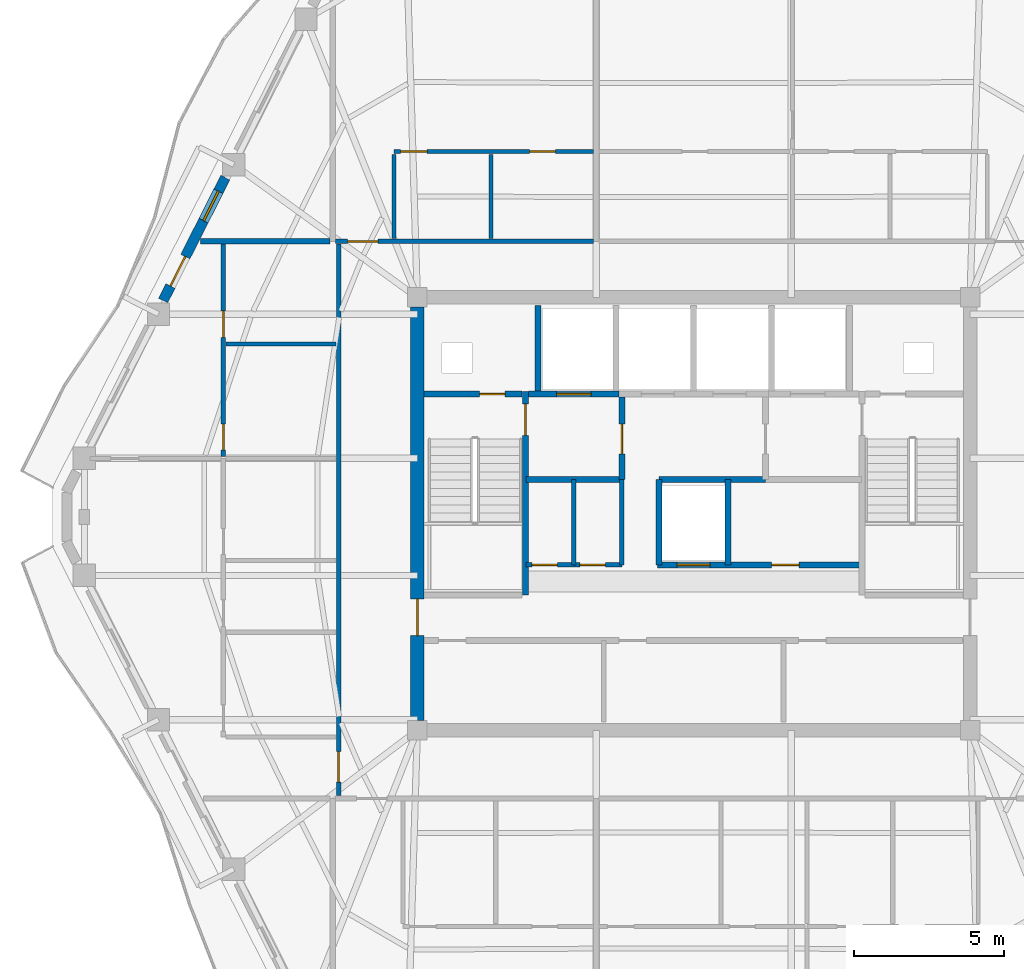
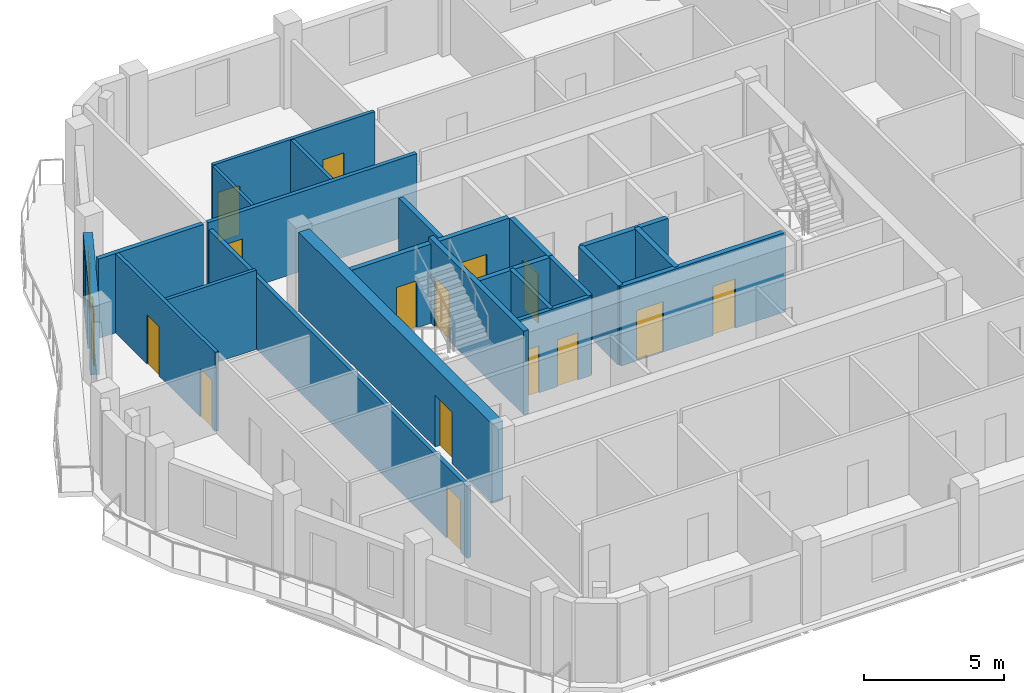
# One storey, part 5 of 12: 23 walls, 16 doors, 1 window, 17 openings.
"""IFC4 building model written with IfcOpenShell, lengths in metres."""

from ifc_helpers import new_model, si_unit, direction, frame, frame_2d, origin, place, context, subcontext, project, spatial, rectangle, extrude, material, layer, layer_set, type_object, element, fill, save


model = new_model("IFC4")

# Units and contexts
model_context = context("Model", 3, precision=1e-05, world=origin(), true_north=direction((0.0, 1.0)))
body_context = subcontext(model_context, "Body", "Model", "MODEL_VIEW")
ifc_project = project(units=[si_unit("LENGTHUNIT", "METRE"), si_unit("AREAUNIT", "SQUARE_METRE"), si_unit("VOLUMEUNIT", "CUBIC_METRE"), si_unit("PLANEANGLEUNIT", "RADIAN"), si_unit("MASSUNIT", "GRAM", prefix="KILO")], contexts=[model_context])

# Site, building, storey
site_placement = place(None, origin())
site = spatial("IfcSite", under=ifc_project, at=site_placement, CompositionType="ELEMENT")
building_placement = place(site_placement, origin())
building = spatial("IfcBuilding", under=site, at=building_placement, Name="Cinnabar Lancet Tower", CompositionType="ELEMENT")
storey_placement = place(building_placement, frame((0.0, 0.0, 237.949951171875)))
storey = spatial("IfcBuildingStorey", under=building, at=storey_placement, Name="L63", CompositionType="ELEMENT", Elevation=237.949951171875)

# Wall, openings, doors
ifc_material_1 = material(Name="Acoustic twin-stud gypsum partition", Category="gypsum")
ifc_layer_1 = layer(ifc_material_1, 0.159912109375)
ifc_layer_set_1 = layer_set([ifc_layer_1], Name="Acoustic twin-stud gypsum partition")
wall_type_1 = type_object("IfcWallType", Name="ARC-WL-CORR-160", PredefinedType="PARTITIONING", material=ifc_layer_set_1)
wall_1_placement = place(storey_placement, frame((26.800048828125, 24.199951171875, 0.0), z_axis=(0.0, 0.0, 1.0), x_axis=(1.0, 0.0, 0.0)))
wall_1 = element("IfcWall", 1, at=wall_1_placement, inside=storey, type_object=wall_type_1, Name="CW-REC5S-L63", PredefinedType="PARTITIONING", context=body_context, shape_type="SweptSolid", body=[
    extrude(rectangle(XDim=3.199951171875, YDim=0.159912109375, at=frame_2d((1.60009765625, 0.0))), origin(), (0.0, 0.0, 1.0), 3.449951171875),
])
opening_1_placement = place(wall_1_placement, frame((0.199951171875, 0.0, 0.0)))
opening_1 = element("IfcOpeningElement", 2, at=opening_1_placement, cuts=wall_1, Name="Opening PD-02", PredefinedType="OPENING", context=body_context, shape_type="SweptSolid", body=[
    extrude(rectangle(XDim=0.85009765625, YDim=2.050048828125, at=frame_2d((0.425048828125, 1.02490234375))), frame((0.0, 0.08984375, 0.0), z_axis=(0.0, -1.0, 0.0), x_axis=(1.0, 0.0, 0.0)), (0.0, 0.0, 1.0), 0.179931640625),
])
opening_2_placement = place(wall_1_placement, frame((1.800048828125, 0.0, 0.0)))
opening_2 = element("IfcOpeningElement", 3, at=opening_2_placement, cuts=wall_1, Name="Opening PD-02", PredefinedType="OPENING", context=body_context, shape_type="SweptSolid", body=[
    extrude(rectangle(XDim=0.85009765625, YDim=2.050048828125, at=frame_2d((0.425048828125, 1.02490234375))), frame((0.0, 0.08984375, 0.0), z_axis=(0.0, -1.0, 0.0), x_axis=(1.0, 0.0, 0.0)), (0.0, 0.0, 1.0), 0.179931640625),
])
ifc_material_2 = material(Name="Fire-rated steel riser access door", Category="steel")
door_type_1 = type_object("IfcDoorType", Name="ARC-DR-RISER", OperationType="NOTDEFINED", PredefinedType="DOOR", material=ifc_material_2)
door_1_placement = place(opening_1_placement, origin())
door_1 = element("IfcDoor", 4, at=door_1_placement, inside=storey, type_object=door_type_1, Name="DR-L63-REC5A", OperationType="SINGLE_SWING_LEFT", OverallHeight=2.050048828125, OverallWidth=0.85009765625, PredefinedType="DOOR", context=body_context, shape_type="SweptSolid", body=[
    extrude(rectangle(XDim=0.85009765625, YDim=2.050048828125, at=frame_2d((0.425048828125, 1.02490234375))), frame((0.0, 0.02490234375, 0.0), z_axis=(0.0, -1.0, 0.0), x_axis=(1.0, 0.0, 0.0)), (0.0, 0.0, 1.0), 0.050048828125),
])
fill(opening_1, door_1)
door_2_placement = place(opening_2_placement, origin())
door_2 = element("IfcDoor", 5, at=door_2_placement, inside=storey, type_object=door_type_1, Name="DR-L63-REC5B", OperationType="SINGLE_SWING_RIGHT", OverallHeight=2.050048828125, OverallWidth=0.85009765625, PredefinedType="DOOR", context=body_context, shape_type="SweptSolid", body=[
    extrude(rectangle(XDim=0.85009765625, YDim=2.050048828125, at=frame_2d((0.425048828125, 1.02490234375))), frame((0.0, 0.02490234375, 0.0), z_axis=(0.0, -1.0, 0.0), x_axis=(1.0, 0.0, 0.0)), (0.0, 0.0, 1.0), 0.050048828125),
])
fill(opening_2, door_2)

# Walls
for number, where, z_axis, x_axis, name in (
    (6, (30.0, 24.199951171875, 0.0), (0.0, 0.0, 1.0), (0.0, 1.0, 0.0), "CW-REC5E-L63"),
    (7, (28.39990234375, 24.199951171875, 0.0), (0.0, 0.0, 1.0), (0.0, 1.0, 0.0), "CW-REC5D-L63"),
):
    element("IfcWall", number, at=place(storey_placement, frame(where, z_axis=z_axis, x_axis=x_axis)), inside=storey, type_object=wall_type_1, Name=name, PredefinedType="PARTITIONING", context=body_context, shape_type="SweptSolid", body=[
        extrude(rectangle(XDim=2.85009765625, YDim=0.159912109375, at=frame_2d((1.425048828125, 0.0))), origin(), (0.0, 0.0, 1.0), 3.449951171875),
    ])

# Wall, opening, door
wall_2_placement = place(storey_placement, frame((20.445068359375, 35.0, 0.0), z_axis=(0.0, 0.0, 1.0), x_axis=(1.0, 0.0, 0.0)))
wall_2 = element("IfcWall", 8, at=wall_2_placement, inside=storey, type_object=wall_type_1, Name="L63 Unit N01 Corridor Wall", PredefinedType="PARTITIONING", context=body_context, shape_type="SweptSolid", body=[
    extrude(rectangle(XDim=8.60595703125, YDim=0.159912109375, at=frame_2d((4.302978515625, 0.0))), origin(), (0.0, 0.0, 1.0), 3.449951171875),
])
opening_3_placement = place(wall_2_placement, frame((0.405029296875, 0.0, 0.0)))
opening_3 = element("IfcOpeningElement", 9, at=opening_3_placement, cuts=wall_2, Name="Opening UD-01", PredefinedType="OPENING", context=body_context, shape_type="SweptSolid", body=[
    extrude(rectangle(XDim=1.02001953125, YDim=2.25, at=frame_2d((0.510009765625, 1.125))), frame((0.0, 0.08984375, 0.0), z_axis=(0.0, -1.0, 0.0), x_axis=(1.0, 0.0, 0.0)), (0.0, 0.0, 1.0), 0.179931640625),
])
ifc_material_3 = material(Name="Solid timber fire-rated apartment entrance door", Category="wood")
door_type_2 = type_object("IfcDoorType", Name="ARC-DR-UNIT", OperationType="NOTDEFINED", PredefinedType="DOOR", material=ifc_material_3)
door_3_placement = place(opening_3_placement, origin())
door_3 = element("IfcDoor", 10, at=door_3_placement, inside=storey, type_object=door_type_2, Name="DR-L63-N01-ENT", OperationType="SINGLE_SWING_RIGHT", OverallHeight=2.25, OverallWidth=1.02001953125, PredefinedType="DOOR", context=body_context, shape_type="SweptSolid", body=[
    extrude(rectangle(XDim=1.02001953125, YDim=2.25, at=frame_2d((0.510009765625, 1.125))), frame((0.0, 0.02490234375, 0.0), z_axis=(0.0, -1.0, 0.0), x_axis=(1.0, 0.0, 0.0)), (0.0, 0.0, 1.0), 0.050048828125),
])
fill(opening_3, door_3)

wall_3_placement = place(storey_placement, frame((20.550048828125, 16.4951171875, 0.0), z_axis=(0.0, 0.0, 1.0), x_axis=(0.0, 1.0, 0.0)))
wall_3 = element("IfcWall", 11, at=wall_3_placement, inside=storey, type_object=wall_type_1, Name="UW-L63-W01-COR", PredefinedType="PARTITIONING", context=body_context, shape_type="SweptSolid", body=[
    extrude(rectangle(XDim=18.409912109375, YDim=0.159912109375, at=frame_2d((9.205078125, 0.0))), origin(), (0.0, 0.0, 1.0), 3.136962890625),
])
opening_4_placement = place(wall_3_placement, frame((0.449951171875, 0.0, 0.0)))
opening_4 = element("IfcOpeningElement", 12, at=opening_4_placement, cuts=wall_3, Name="Opening UD-01", PredefinedType="OPENING", context=body_context, shape_type="SweptSolid", body=[
    extrude(rectangle(XDim=1.02001953125, YDim=2.25, at=frame_2d((0.510009765625, 1.125))), frame((0.0, 0.08984375, 0.0), z_axis=(0.0, -1.0, 0.0), x_axis=(1.0, 0.0, 0.0)), (0.0, 0.0, 1.0), 0.179931640625),
])
door_4_placement = place(opening_4_placement, origin())
door_4 = element("IfcDoor", 13, at=door_4_placement, inside=storey, type_object=door_type_2, Name="DR-L63-W01-ENT", OperationType="SINGLE_SWING_LEFT", OverallHeight=2.25, OverallWidth=1.02001953125, PredefinedType="DOOR", context=body_context, shape_type="SweptSolid", body=[
    extrude(rectangle(XDim=1.02001953125, YDim=2.25, at=frame_2d((0.510009765625, 1.125))), frame((0.0, 0.02490234375, 0.0), z_axis=(0.0, -1.0, 0.0), x_axis=(1.0, 0.0, 0.0)), (0.0, 0.0, 1.0), 0.050048828125),
])
fill(opening_4, door_4)

# Wall
ifc_material_4 = material(Name="Fire-rated twin-frame acoustic drywall", Category="gypsum")
ifc_layer_2 = layer(ifc_material_4, 0.179931640625)
ifc_layer_set_2 = layer_set([ifc_layer_2], Name="Fire-rated twin-frame acoustic drywall")
wall_type_2 = type_object("IfcWallType", Name="ARC-WL-PARTY-180", PredefinedType="PARTITIONING", material=ifc_layer_set_2)
wall_4_placement = place(storey_placement, frame((15.93310546875, 35.0, 0.0), z_axis=(0.0, 0.0, 1.0), x_axis=(1.0, 0.0, 0.0)))
element("IfcWall", 14, at=wall_4_placement, inside=storey, type_object=wall_type_2, Name="PW-L63-WNB", PredefinedType="PARTITIONING", context=body_context, shape_type="SweptSolid", body=[
    extrude(rectangle(XDim=4.32177734375, YDim=0.179931640625, at=frame_2d((2.160888671875, 0.0))), origin(), (0.0, 0.0, 1.0), 3.449951171875),
])

# Wall, opening, door
ifc_material_5 = material(Name="Autoclaved aerated concrete blockwork", Category="masonry")
ifc_layer_3 = layer(ifc_material_5, 0.199951171875)
ifc_layer_set_3 = layer_set([ifc_layer_3], Name="Autoclaved aerated concrete blockwork")
wall_type_3 = type_object("IfcWallType", Name="ARC-WL-SHAFT-200", PredefinedType="PLUMBINGWALL", material=ifc_layer_set_3)
wall_5_placement = place(storey_placement, frame((23.405029296875, 29.89990234375, 0.0), z_axis=(0.0, 0.0, 1.0), x_axis=(1.0, 0.0, 0.0)))
wall_5 = element("IfcWall", 15, at=wall_5_placement, inside=storey, type_object=wall_type_3, Name="CW-NSH-W-L63", PredefinedType="PLUMBINGWALL", context=body_context, shape_type="SweptSolid", body=[
    extrude(rectangle(XDim=3.27001953125, YDim=0.199951171875, at=frame_2d((1.635009765625, 0.0))), origin(), (0.0, 0.0, 1.0), 3.449951171875),
])
opening_5_placement = place(wall_5_placement, frame((1.85009765625, 0.0, 0.0)))
opening_5 = element("IfcOpeningElement", 16, at=opening_5_placement, cuts=wall_5, Name="Opening PD-02", PredefinedType="OPENING", context=body_context, shape_type="SweptSolid", body=[
    extrude(rectangle(XDim=0.85009765625, YDim=2.050048828125, at=frame_2d((0.425048828125, 1.02490234375))), frame((0.0, 0.10986328125, 0.0), z_axis=(0.0, -1.0, 0.0), x_axis=(1.0, 0.0, 0.0)), (0.0, 0.0, 1.0), 0.219970703125),
])
door_5_placement = place(opening_5_placement, origin())
door_5 = element("IfcDoor", 17, at=door_5_placement, inside=storey, type_object=door_type_1, Name="L63 West Riser Access Door", OperationType="SINGLE_SWING_LEFT", OverallHeight=2.050048828125, OverallWidth=0.85009765625, PredefinedType="DOOR", context=body_context, shape_type="SweptSolid", body=[
    extrude(rectangle(XDim=0.85009765625, YDim=2.050048828125, at=frame_2d((0.425048828125, 1.02490234375))), frame((0.0, 0.02490234375, 0.0), z_axis=(0.0, -1.0, 0.0), x_axis=(1.0, 0.0, 0.0)), (0.0, 0.0, 1.0), 0.050048828125),
])
fill(opening_5, door_5)

wall_6_placement = place(storey_placement, frame((26.885009765625, 29.89990234375, 0.0), z_axis=(0.0, 0.0, 1.0), x_axis=(1.0, 0.0, 0.0)))
wall_6 = element("IfcWall", 18, at=wall_6_placement, inside=storey, type_object=wall_type_3, Name="CW-FL1-L63", PredefinedType="PLUMBINGWALL", context=body_context, shape_type="SweptSolid", body=[
    extrude(rectangle(XDim=3.014892578125, YDim=0.199951171875, at=frame_2d((1.50732421875, 0.0))), origin(), (0.0, 0.0, 1.0), 3.449951171875),
])
opening_6_placement = place(wall_6_placement, frame((0.93994140625, 0.0, 0.0)))
opening_6 = element("IfcOpeningElement", 19, at=opening_6_placement, cuts=wall_6, Name="Opening LD-02", PredefinedType="OPENING", context=body_context, shape_type="SweptSolid", body=[
    extrude(rectangle(XDim=1.14990234375, YDim=2.199951171875, at=frame_2d((0.574951171875, 1.10009765625))), frame((0.0, 0.10986328125, 0.0), z_axis=(0.0, -1.0, 0.0), x_axis=(1.0, 0.0, 0.0)), (0.0, 0.0, 1.0), 0.219970703125),
])
ifc_material_6 = material(Name="Fire-rated stainless steel firefighting lift landing door", Category="steel")
door_type_3 = type_object("IfcDoorType", Name="ARC-DR-LD-FIRE", OperationType="NOTDEFINED", PredefinedType="DOOR", material=ifc_material_6)
door_6_placement = place(opening_6_placement, origin())
door_6 = element("IfcDoor", 20, at=door_6_placement, inside=storey, type_object=door_type_3, Name="L63 Firefighting Lift FL-1 Landing Door", OperationType="DOUBLE_DOOR_SLIDING", OverallHeight=2.199951171875, OverallWidth=1.14990234375, PredefinedType="DOOR", context=body_context, shape_type="SweptSolid", body=[
    extrude(rectangle(XDim=1.14990234375, YDim=2.199951171875, at=frame_2d((0.574951171875, 1.10009765625))), frame((0.0, 0.02490234375, 0.0), z_axis=(0.0, -1.0, 0.0), x_axis=(1.0, 0.0, 0.0)), (0.0, 0.0, 1.0), 0.050048828125),
])
fill(opening_6, door_6)

# Wall
wall_7_placement = place(storey_placement, frame((27.199951171875, 30.0, 0.0), z_axis=(0.0, 0.0, 1.0), x_axis=(0.0, 1.0, 0.0)))
element("IfcWall", 21, at=wall_7_placement, inside=storey, type_object=wall_type_3, Name="CW-NSH-D1-L63", PredefinedType="PLUMBINGWALL", context=body_context, shape_type="SweptSolid", body=[
    extrude(rectangle(XDim=2.85009765625, YDim=0.199951171875, at=frame_2d((1.425048828125, 0.0))), origin(), (0.0, 0.0, 1.0), 3.449951171875),
])

# Wall, opening, door
wall_8_placement = place(storey_placement, frame((30.0, 27.050048828125, 0.0), z_axis=(0.0, 0.0, 1.0), x_axis=(0.0, 1.0, 0.0)))
wall_8 = element("IfcWall", 22, at=wall_8_placement, inside=storey, type_object=wall_type_3, Name="CW-FF1E-L63", PredefinedType="PLUMBINGWALL", context=body_context, shape_type="SweptSolid", body=[
    extrude(rectangle(XDim=2.75, YDim=0.199951171875, at=frame_2d((1.375, 0.0))), origin(), (0.0, 0.0, 1.0), 3.449951171875),
])
opening_7_placement = place(wall_8_placement, frame((0.85009765625, 0.0, 0.0)))
opening_7 = element("IfcOpeningElement", 23, at=opening_7_placement, cuts=wall_8, Name="Opening FD-01", PredefinedType="OPENING", context=body_context, shape_type="SweptSolid", body=[
    extrude(rectangle(XDim=1.0, YDim=2.14990234375, at=frame_2d((0.5, 1.074951171875))), frame((0.0, 0.10986328125, 0.0), z_axis=(0.0, -1.0, 0.0), x_axis=(1.0, 0.0, 0.0)), (0.0, 0.0, 1.0), 0.219970703125),
])
ifc_material_7 = material(Name="Fire-rated timber-core lobby door", Category="wood")
door_type_4 = type_object("IfcDoorType", Name="ARC-DR-FFAL", OperationType="NOTDEFINED", PredefinedType="DOOR", material=ifc_material_7)
door_7_placement = place(opening_7_placement, origin())
door_7 = element("IfcDoor", 24, at=door_7_placement, inside=storey, type_object=door_type_4, Name="L63 FFAL-1 Lobby Fire Door", OperationType="SINGLE_SWING_RIGHT", OverallHeight=2.14990234375, OverallWidth=1.0, PredefinedType="DOOR", context=body_context, shape_type="SweptSolid", body=[
    extrude(rectangle(XDim=1.0, YDim=2.14990234375, at=frame_2d((0.5, 1.074951171875))), frame((0.0, 0.02490234375, 0.0), z_axis=(0.0, -1.0, 0.0), x_axis=(1.0, 0.0, 0.0)), (0.0, 0.0, 1.0), 0.050048828125),
])
fill(opening_7, door_7)

# Wall
wall_9_placement = place(storey_placement, frame((26.800048828125, 27.050048828125, 0.0), z_axis=(0.0, 0.0, 1.0), x_axis=(1.0, 0.0, 0.0)))
element("IfcWall", 25, at=wall_9_placement, inside=storey, type_object=wall_type_3, Name="CW-FF1S-L63", PredefinedType="PLUMBINGWALL", context=body_context, shape_type="SweptSolid", body=[
    extrude(rectangle(XDim=3.199951171875, YDim=0.199951171875, at=frame_2d((1.60009765625, 0.0))), origin(), (0.0, 0.0, 1.0), 3.449951171875),
])

# Wall, openings, doors
wall_10_placement = place(storey_placement, frame((31.199951171875, 24.199951171875, 0.0), z_axis=(0.0, 0.0, 1.0), x_axis=(1.0, 0.0, 0.0)))
wall_10 = element("IfcWall", 26, at=wall_10_placement, inside=storey, type_object=wall_type_3, Name="CW-PL96S-L63", PredefinedType="PLUMBINGWALL", context=body_context, shape_type="SweptSolid", body=[
    extrude(rectangle(XDim=6.800048828125, YDim=0.199951171875, at=frame_2d((3.39990234375, 0.0))), origin(), (0.0, 0.0, 1.0), 3.449951171875),
])
opening_8_placement = place(wall_10_placement, frame((0.64990234375, 0.0, 0.0)))
opening_8 = element("IfcOpeningElement", 27, at=opening_8_placement, cuts=wall_10, Name="Opening LD-01", PredefinedType="OPENING", context=body_context, shape_type="SweptSolid", body=[
    extrude(rectangle(XDim=1.10009765625, YDim=2.199951171875, at=frame_2d((0.550048828125, 1.10009765625))), frame((0.0, 0.10986328125, 0.0), z_axis=(0.0, -1.0, 0.0), x_axis=(1.0, 0.0, 0.0)), (0.0, 0.0, 1.0), 0.219970703125),
])
opening_9_placement = place(wall_10_placement, frame((3.800048828125, 0.0, 0.0)))
opening_9 = element("IfcOpeningElement", 28, at=opening_9_placement, cuts=wall_10, Name="Opening RD-01", PredefinedType="OPENING", context=body_context, shape_type="SweptSolid", body=[
    extrude(rectangle(XDim=0.919921875, YDim=2.14990234375, at=frame_2d((0.4599609375, 1.074951171875))), frame((0.0, 0.10986328125, 0.0), z_axis=(0.0, -1.0, 0.0), x_axis=(1.0, 0.0, 0.0)), (0.0, 0.0, 1.0), 0.219970703125),
])
ifc_material_8 = material(Name="Brushed stainless steel sliding lift door", Category="steel")
door_type_5 = type_object("IfcDoorType", Name="ARC-DR-LD-PASS", OperationType="NOTDEFINED", PredefinedType="DOOR", material=ifc_material_8)
door_8_placement = place(opening_8_placement, origin())
door_8 = element("IfcDoor", 29, at=door_8_placement, inside=storey, type_object=door_type_5, Name="L63 Lift PL-9 Landing Door", OperationType="DOUBLE_DOOR_SLIDING", OverallHeight=2.199951171875, OverallWidth=1.10009765625, PredefinedType="DOOR", context=body_context, shape_type="SweptSolid", body=[
    extrude(rectangle(XDim=1.10009765625, YDim=2.199951171875, at=frame_2d((0.550048828125, 1.10009765625))), frame((0.0, 0.02490234375, 0.0), z_axis=(0.0, -1.0, 0.0), x_axis=(1.0, 0.0, 0.0)), (0.0, 0.0, 1.0), 0.050048828125),
])
fill(opening_8, door_8)
ifc_material_9 = material(Name="Engineered timber bedroom door", Category="wood")
door_type_6 = type_object("IfcDoorType", Name="ARC-DR-ROOM", OperationType="NOTDEFINED", PredefinedType="DOOR", material=ifc_material_9)
door_9_placement = place(opening_9_placement, origin())
door_9 = element("IfcDoor", 30, at=door_9_placement, inside=storey, type_object=door_type_6, Name="DR-L63-REC6", OperationType="SINGLE_SWING_RIGHT", OverallHeight=2.14990234375, OverallWidth=0.919921875, PredefinedType="DOOR", context=body_context, shape_type="SweptSolid", body=[
    extrude(rectangle(XDim=0.919921875, YDim=2.14990234375, at=frame_2d((0.4599609375, 1.074951171875))), frame((0.0, 0.02490234375, 0.0), z_axis=(0.0, -1.0, 0.0), x_axis=(1.0, 0.0, 0.0)), (0.0, 0.0, 1.0), 0.050048828125),
])
fill(opening_9, door_9)

# Walls
for number, where, z_axis, x_axis, name in (
    (31, (31.25, 24.199951171875, 0.0), (0.0, 0.0, 1.0), (0.0, 1.0, 0.0), "CW-PL9W-L63"),
    (32, (33.550048828125, 24.199951171875, 0.0), (0.0, 0.0, 1.0), (0.0, 1.0, 0.0), "CW-PL9E-L63"),
):
    element("IfcWall", number, at=place(storey_placement, frame(where, z_axis=z_axis, x_axis=x_axis)), inside=storey, type_object=wall_type_3, Name=name, PredefinedType="PLUMBINGWALL", context=body_context, shape_type="SweptSolid", body=[
        extrude(rectangle(XDim=2.85009765625, YDim=0.199951171875, at=frame_2d((1.425048828125, 0.0))), origin(), (0.0, 0.0, 1.0), 3.449951171875),
    ])
wall_11_placement = place(storey_placement, frame((31.25, 27.050048828125, 0.0), z_axis=(0.0, 0.0, 1.0), x_axis=(1.0, 0.0, 0.0)))
element("IfcWall", 33, at=wall_11_placement, inside=storey, type_object=wall_type_3, Name="CW-PL96N-L63", PredefinedType="PLUMBINGWALL", context=body_context, shape_type="SweptSolid", body=[
    extrude(rectangle(XDim=3.550048828125, YDim=0.199951171875, at=frame_2d((1.77490234375, 0.0))), origin(), (0.0, 0.0, 1.0), 3.449951171875),
])
ifc_material_10 = material(Name="Gypsum plasterboard stud partition", Category="gypsum")
ifc_layer_4 = layer(ifc_material_10, 0.125)
ifc_layer_set_4 = layer_set([ifc_layer_4], Name="Gypsum plasterboard stud partition")
wall_type_4 = type_object("IfcWallType", Name="ARC-WL-UNIT-125", PredefinedType="PARTITIONING", material=ifc_layer_set_4)
wall_12_placement = place(storey_placement, frame((22.39990234375, 35.0849609375, 0.0), z_axis=(0.0, 0.0, 1.0), x_axis=(0.0, 1.0, 0.0)))
element("IfcWall", 34, at=wall_12_placement, inside=storey, type_object=wall_type_4, Name="UW-L63-N01-FOYE", PredefinedType="PARTITIONING", context=body_context, shape_type="SweptSolid", body=[
    extrude(rectangle(XDim=2.81103515625, YDim=0.125, at=frame_2d((1.405517578125, 0.0))), origin(), (0.0, 0.0, 1.0), 3.449951171875),
])

# Wall, openings, doors
ifc_material_11 = material(Name="Moisture-resistant cement-board plumbing wall", Category="masonry")
ifc_layer_5 = layer(ifc_material_11, 0.139892578125)
ifc_layer_set_5 = layer_set([ifc_layer_5], Name="Moisture-resistant cement-board plumbing wall")
wall_type_5 = type_object("IfcWallType", Name="ARC-WL-WET-140", PredefinedType="PLUMBINGWALL", material=ifc_layer_set_5)
wall_13_placement = place(storey_placement, frame((22.39990234375, 38.0009765625, 0.0), z_axis=(0.0, 0.0, 1.0), x_axis=(1.0, 0.0, 0.0)))
wall_13 = element("IfcWall", 35, at=wall_13_placement, inside=storey, type_object=wall_type_5, Name="UW-L63-N01-SPL", PredefinedType="PLUMBINGWALL", context=body_context, shape_type="SweptSolid", body=[
    extrude(rectangle(XDim=6.651123046875, YDim=0.139892578125, at=frame_2d((3.32568359375, 0.0))), origin(), (0.0, 0.0, 1.0), 3.449951171875),
])
opening_10_placement = place(wall_13_placement, frame((4.52001953125, 0.0, 0.0)))
opening_10 = element("IfcOpeningElement", 36, at=opening_10_placement, cuts=wall_13, Name="Opening BD-01", PredefinedType="OPENING", context=body_context, shape_type="SweptSolid", body=[
    extrude(rectangle(XDim=0.860107421875, YDim=2.10009765625, at=frame_2d((0.43017578125, 1.050048828125))), frame((0.0, 0.079833984375, 0.0), z_axis=(0.0, -1.0, 0.0), x_axis=(1.0, 0.0, 0.0)), (0.0, 0.0, 1.0), 0.159912109375),
])
opening_11_placement = place(wall_13_placement, frame((0.219970703125, 0.0, 0.0)))
opening_11 = element("IfcOpeningElement", 37, at=opening_11_placement, cuts=wall_13, Name="Opening RD-02", PredefinedType="OPENING", context=body_context, shape_type="SweptSolid", body=[
    extrude(rectangle(XDim=0.8798828125, YDim=2.14990234375, at=frame_2d((0.43994140625, 1.074951171875))), frame((0.0, 0.079833984375, 0.0), z_axis=(0.0, -1.0, 0.0), x_axis=(1.0, 0.0, 0.0)), (0.0, 0.0, 1.0), 0.159912109375),
])
ifc_material_12 = material(Name="Moisture-resistant timber bathroom door", Category="wood")
door_type_7 = type_object("IfcDoorType", Name="ARC-DR-BATH", OperationType="NOTDEFINED", PredefinedType="DOOR", material=ifc_material_12)
door_10_placement = place(opening_10_placement, origin())
door_10 = element("IfcDoor", 38, at=door_10_placement, inside=storey, type_object=door_type_7, Name="DR-L63-N01-BTH", OperationType="SINGLE_SWING_RIGHT", OverallHeight=2.10009765625, OverallWidth=0.860107421875, PredefinedType="DOOR", context=body_context, shape_type="SweptSolid", body=[
    extrude(rectangle(XDim=0.860107421875, YDim=2.10009765625, at=frame_2d((0.43017578125, 1.050048828125))), frame((0.0, 0.02490234375, 0.0), z_axis=(0.0, -1.0, 0.0), x_axis=(1.0, 0.0, 0.0)), (0.0, 0.0, 1.0), 0.050048828125),
])
fill(opening_10, door_10)
ifc_material_13 = material(Name="Engineered timber study door", Category="wood")
door_type_8 = type_object("IfcDoorType", Name="ARC-DR-STUDY", OperationType="NOTDEFINED", PredefinedType="DOOR", material=ifc_material_13)
door_11_placement = place(opening_11_placement, origin())
door_11 = element("IfcDoor", 39, at=door_11_placement, inside=storey, type_object=door_type_8, Name="DR-L63-N01-KIT", OperationType="SINGLE_SWING_LEFT", OverallHeight=2.14990234375, OverallWidth=0.8798828125, PredefinedType="DOOR", context=body_context, shape_type="SweptSolid", body=[
    extrude(rectangle(XDim=0.8798828125, YDim=2.14990234375, at=frame_2d((0.43994140625, 1.074951171875))), frame((0.0, 0.02490234375, 0.0), z_axis=(0.0, -1.0, 0.0), x_axis=(1.0, 0.0, 0.0)), (0.0, 0.0, 1.0), 0.050048828125),
])
fill(opening_11, door_11)

# Wall
wall_14_placement = place(storey_placement, frame((25.637939453125, 35.0849609375, 0.0), z_axis=(0.0, 0.0, 1.0), x_axis=(0.0, 1.0, 0.0)))
element("IfcWall", 40, at=wall_14_placement, inside=storey, type_object=wall_type_5, Name="UW-L63-N01-KDV", PredefinedType="PLUMBINGWALL", context=body_context, shape_type="SweptSolid", body=[
    extrude(rectangle(XDim=2.81103515625, YDim=0.139892578125, at=frame_2d((1.405517578125, 0.0))), origin(), (0.0, 0.0, 1.0), 3.449951171875),
])

# Wall, openings, doors
wall_15_placement = place(storey_placement, frame((16.699951171875, 27.81591796875, 0.0), z_axis=(0.0, 0.0, 1.0), x_axis=(0.0, 1.0, 0.0)))
wall_15 = element("IfcWall", 41, at=wall_15_placement, inside=storey, type_object=wall_type_5, Name="UW-L63-W01-SPM", PredefinedType="PLUMBINGWALL", context=body_context, shape_type="SweptSolid", body=[
    extrude(rectangle(XDim=7.089111328125, YDim=0.139892578125, at=frame_2d((3.54443359375, 0.0))), origin(), (0.0, 0.0, 1.0), 3.449951171875),
])
opening_12_placement = place(wall_15_placement, frame((0.219970703125, 0.0, 0.0)))
opening_12 = element("IfcOpeningElement", 42, at=opening_12_placement, cuts=wall_15, Name="Opening BD-01", PredefinedType="OPENING", context=body_context, shape_type="SweptSolid", body=[
    extrude(rectangle(XDim=0.860107421875, YDim=2.10009765625, at=frame_2d((0.43017578125, 1.050048828125))), frame((0.0, 0.079833984375, 0.0), z_axis=(0.0, -1.0, 0.0), x_axis=(1.0, 0.0, 0.0)), (0.0, 0.0, 1.0), 0.159912109375),
])
opening_13_placement = place(wall_15_placement, frame((3.97998046875, 0.0, 0.0)))
opening_13 = element("IfcOpeningElement", 43, at=opening_13_placement, cuts=wall_15, Name="Opening RD-02", PredefinedType="OPENING", context=body_context, shape_type="SweptSolid", body=[
    extrude(rectangle(XDim=0.8798828125, YDim=2.14990234375, at=frame_2d((0.43994140625, 1.074951171875))), frame((0.0, 0.079833984375, 0.0), z_axis=(0.0, -1.0, 0.0), x_axis=(1.0, 0.0, 0.0)), (0.0, 0.0, 1.0), 0.159912109375),
])
door_12_placement = place(opening_12_placement, origin())
door_12 = element("IfcDoor", 44, at=door_12_placement, inside=storey, type_object=door_type_7, Name="DR-L63-W01-ENS", OperationType="SINGLE_SWING_LEFT", OverallHeight=2.10009765625, OverallWidth=0.860107421875, PredefinedType="DOOR", context=body_context, shape_type="SweptSolid", body=[
    extrude(rectangle(XDim=0.860107421875, YDim=2.10009765625, at=frame_2d((0.43017578125, 1.050048828125))), frame((0.0, 0.02490234375, 0.0), z_axis=(0.0, -1.0, 0.0), x_axis=(1.0, 0.0, 0.0)), (0.0, 0.0, 1.0), 0.050048828125),
])
fill(opening_12, door_12)
door_13_placement = place(opening_13_placement, origin())
door_13 = element("IfcDoor", 45, at=door_13_placement, inside=storey, type_object=door_type_8, Name="DR-L63-W01-EWDR", OperationType="SINGLE_SWING_RIGHT", OverallHeight=2.14990234375, OverallWidth=0.8798828125, PredefinedType="DOOR", context=body_context, shape_type="SweptSolid", body=[
    extrude(rectangle(XDim=0.8798828125, YDim=2.14990234375, at=frame_2d((0.43994140625, 1.074951171875))), frame((0.0, 0.02490234375, 0.0), z_axis=(0.0, -1.0, 0.0), x_axis=(1.0, 0.0, 0.0)), (0.0, 0.0, 1.0), 0.050048828125),
])
fill(opening_13, door_13)

# Wall
wall_16_placement = place(storey_placement, frame((16.784912109375, 31.575927734375, 0.0), z_axis=(0.0, 0.0, 1.0), x_axis=(1.0, 0.0, 0.0)))
element("IfcWall", 46, at=wall_16_placement, inside=storey, type_object=wall_type_5, Name="UW-L63-W01-EWDV", PredefinedType="PLUMBINGWALL", context=body_context, shape_type="SweptSolid", body=[
    extrude(rectangle(XDim=3.68017578125, YDim=0.139892578125, at=frame_2d((1.840087890625, 0.0))), origin(), (0.0, 0.0, 1.0), 3.449951171875),
])

# Wall, openings, door, window
ifc_material_14 = material(Name="Cinnabar red clay brick", Category="masonry")
ifc_layer_6 = layer(ifc_material_14, 0.340087890625)
ifc_layer_set_6 = layer_set([ifc_layer_6], Name="Cinnabar red clay brick")
wall_type_6 = type_object("IfcWallType", Name="ENV-WL-BRK-RED-340", PredefinedType="STANDARD", material=ifc_layer_set_6)
wall_17_placement = place(storey_placement, frame((16.76806640625, 37.126953125, 0.0), z_axis=(0.0, 0.0, 1.0), x_axis=(-0.451581819983, -0.892229712496, 0.0)))
wall_17 = element("IfcWall", 47, at=wall_17_placement, inside=storey, type_object=wall_type_6, Name="L63 Face 5 Masonry Bay Wall 3", PredefinedType="STANDARD", context=body_context, shape_type="SweptSolid", body=[
    extrude(rectangle(XDim=4.599609375, YDim=0.340087890625, at=frame_2d((2.2998046875, 0.0))), origin(), (0.0, 0.0, 1.0), 2.983154296875),
])
opening_14_placement = place(wall_17_placement, frame((2.9580078125, 0.0, 0.0)))
opening_14 = element("IfcOpeningElement", 48, at=opening_14_placement, cuts=wall_17, Name="Opening TD-01", PredefinedType="OPENING", context=body_context, shape_type="SweptSolid", body=[
    extrude(rectangle(XDim=1.10009765625, YDim=2.25, at=frame_2d((0.550048828125, 1.125))), frame((0.0, 0.179931640625, 0.0), z_axis=(0.0, -1.0, 0.0), x_axis=(1.0, 0.0, 0.0)), (0.0, 0.0, 1.0), 0.360107421875),
])
opening_15_placement = place(wall_17_placement, frame((0.511962890625, 0.0, 0.75)))
opening_15 = element("IfcOpeningElement", 49, at=opening_15_placement, cuts=wall_17, Name="Opening WN-04", PredefinedType="OPENING", context=body_context, shape_type="SweptSolid", body=[
    extrude(rectangle(XDim=1.10009765625, YDim=2.0, at=frame_2d((0.550048828125, 1.0))), frame((0.0, 0.179931640625, 0.0), z_axis=(0.0, -1.0, 0.0), x_axis=(1.0, 0.0, 0.0)), (0.0, 0.0, 1.0), 0.360107421875),
])
ifc_material_15 = material(Name="Thermally broken low-E glazed balcony terrace door", Category="wood")
door_type_9 = type_object("IfcDoorType", Name="ARC-DR-BALC", OperationType="NOTDEFINED", PredefinedType="DOOR", material=ifc_material_15)
door_14_placement = place(opening_14_placement, origin())
door_14 = element("IfcDoor", 50, at=door_14_placement, inside=storey, type_object=door_type_9, Name="L63 Face 5 Glazed Terrace Door", OperationType="SINGLE_SWING_RIGHT", OverallHeight=2.25, OverallWidth=1.10009765625, PredefinedType="DOOR", context=body_context, shape_type="SweptSolid", body=[
    extrude(rectangle(XDim=1.10009765625, YDim=2.25, at=frame_2d((0.550048828125, 1.125))), frame((0.0, 0.02490234375, 0.0), z_axis=(0.0, -1.0, 0.0), x_axis=(1.0, 0.0, 0.0)), (0.0, 0.0, 1.0), 0.050048828125),
])
fill(opening_14, door_14)
ifc_material_16 = material(Name="Thermally broken bronze-anodized aluminium tall lancet window", Category="aluminium")
window_type = type_object("IfcWindowType", Name="ENV-WN-LANCET-1100", PartitioningType="SINGLE_PANEL", PredefinedType="WINDOW", material=ifc_material_16)
window_placement = place(opening_15_placement, origin())
window = element("IfcWindow", 51, at=window_placement, inside=storey, type_object=window_type, Name="L63 Split-Bay Gothic Lancet Window 221", OverallHeight=2.0, OverallWidth=1.10009765625, PartitioningType="SINGLE_PANEL", PredefinedType="WINDOW", context=body_context, shape_type="SweptSolid", body=[
    extrude(rectangle(XDim=1.10009765625, YDim=2.0, at=frame_2d((0.550048828125, 1.0))), frame((0.0, 0.030029296875, 0.0), z_axis=(0.0, -1.0, 0.0), x_axis=(1.0, 0.0, 0.0)), (0.0, 0.0, 1.0), 0.06005859375),
])
fill(opening_15, window)

# Wall, opening, door
ifc_material_17 = material(Name="Concrete C50/60", Category="concrete")
ifc_layer_7 = layer(ifc_material_17, 0.449951171875)
ifc_layer_set_7 = layer_set([ifc_layer_7], Name="Concrete C50/60")
wall_type_7 = type_object("IfcWallType", Name="STR-WL-CORE-450", PredefinedType="SHEAR", material=ifc_layer_set_7)
wall_18_placement = place(storey_placement, frame((23.175048828125, 19.0, 0.0), z_axis=(0.0, 0.0, 1.0), x_axis=(0.0, 1.0, 0.0)))
wall_18 = element("IfcWall", 52, at=wall_18_placement, inside=storey, type_object=wall_type_7, Name="L63 Core Shear Wall W", PredefinedType="SHEAR", context=body_context, shape_type="SweptSolid", body=[
    extrude(rectangle(XDim=13.800048828125, YDim=0.449951171875, at=frame_2d((6.89990234375, 0.0))), origin(), (0.0, 0.0, 1.0), 3.449951171875),
])
opening_16_placement = place(wall_18_placement, frame((2.840087890625, 0.0, 0.0)))
opening_16 = element("IfcOpeningElement", 53, at=opening_16_placement, cuts=wall_18, Name="Opening FD-02", PredefinedType="OPENING", context=body_context, shape_type="SweptSolid", body=[
    extrude(rectangle(XDim=1.219970703125, YDim=2.25, at=frame_2d((0.60986328125, 1.125))), frame((0.0, 0.23486328125, 0.0), z_axis=(0.0, -1.0, 0.0), x_axis=(1.0, 0.0, 0.0)), (0.0, 0.0, 1.0), 0.469970703125),
])
ifc_material_18 = material(Name="Fire-rated double-vision core portal door", Category="wood")
door_type_10 = type_object("IfcDoorType", Name="ARC-DR-CPORT", OperationType="NOTDEFINED", PredefinedType="DOOR", material=ifc_material_18)
door_15_placement = place(opening_16_placement, origin())
door_15 = element("IfcDoor", 54, at=door_15_placement, inside=storey, type_object=door_type_10, Name="L63 West Core Lobby Fire Door", OperationType="SINGLE_SWING_RIGHT", OverallHeight=2.25, OverallWidth=1.219970703125, PredefinedType="DOOR", context=body_context, shape_type="SweptSolid", body=[
    extrude(rectangle(XDim=1.219970703125, YDim=2.25, at=frame_2d((0.60986328125, 1.125))), frame((0.0, 0.02490234375, 0.0), z_axis=(0.0, -1.0, 0.0), x_axis=(1.0, 0.0, 0.0)), (0.0, 0.0, 1.0), 0.050048828125),
])
fill(opening_16, door_15)

ifc_material_19 = material(Name="Concrete C50/60", Category="concrete")
ifc_layer_8 = layer(ifc_material_19, 0.199951171875)
ifc_layer_set_8 = layer_set([ifc_layer_8], Name="Concrete C50/60")
wall_type_8 = type_object("IfcWallType", Name="STR-WL-STAIR-200", PredefinedType="SHEAR", material=ifc_layer_set_8)
wall_19_placement = place(storey_placement, frame((26.780029296875, 23.199951171875, 0.0), z_axis=(0.0, 0.0, 1.0), x_axis=(0.0, 1.0, 0.0)))
wall_19 = element("IfcWall", 55, at=wall_19_placement, inside=storey, type_object=wall_type_8, Name="L63 Stair ST-1 Structural Enclosure Wall", PredefinedType="SHEAR", context=body_context, shape_type="SweptSolid", body=[
    extrude(rectangle(XDim=6.780029296875, YDim=0.199951171875, at=frame_2d((3.39013671875, 0.0))), origin(), (0.0, 0.0, 1.0), 3.650146484375),
])
opening_17_placement = place(wall_19_placement, frame((5.320068359375, 0.0, 0.0)))
opening_17 = element("IfcOpeningElement", 56, at=opening_17_placement, cuts=wall_19, Name="Opening SD-01", PredefinedType="OPENING", context=body_context, shape_type="SweptSolid", body=[
    extrude(rectangle(XDim=1.050048828125, YDim=2.14990234375, at=frame_2d((0.52490234375, 1.074951171875))), frame((0.0, 0.10986328125, 0.0), z_axis=(0.0, -1.0, 0.0), x_axis=(1.0, 0.0, 0.0)), (0.0, 0.0, 1.0), 0.219970703125),
])
ifc_material_20 = material(Name="Fire-rated steel stair exit door", Category="steel")
door_type_11 = type_object("IfcDoorType", Name="ARC-DR-STAIR", OperationType="NOTDEFINED", PredefinedType="DOOR", material=ifc_material_20)
door_16_placement = place(opening_17_placement, origin())
door_16 = element("IfcDoor", 57, at=door_16_placement, inside=storey, type_object=door_type_11, Name="L63 Stair ST-1 Fire Door", OperationType="SINGLE_SWING_LEFT", OverallHeight=2.14990234375, OverallWidth=1.050048828125, PredefinedType="DOOR", context=body_context, shape_type="SweptSolid", body=[
    extrude(rectangle(XDim=1.050048828125, YDim=2.14990234375, at=frame_2d((0.52490234375, 1.074951171875))), frame((0.0, 0.02490234375, 0.0), z_axis=(0.0, -1.0, 0.0), x_axis=(1.0, 0.0, 0.0)), (0.0, 0.0, 1.0), 0.050048828125),
])
fill(opening_17, door_16)

save(model, "model.ifc")
